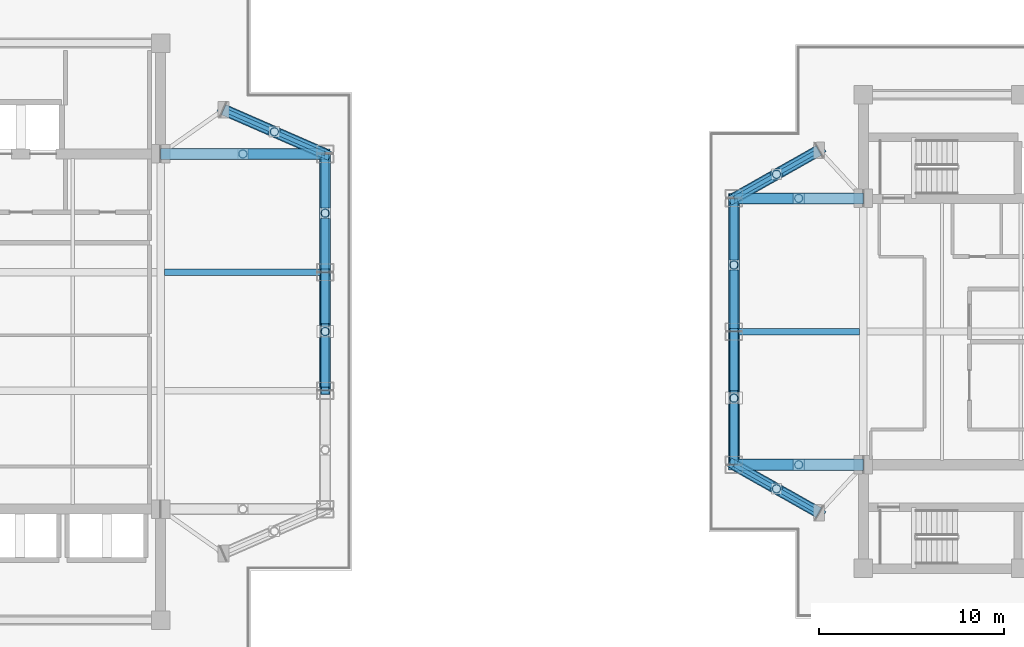
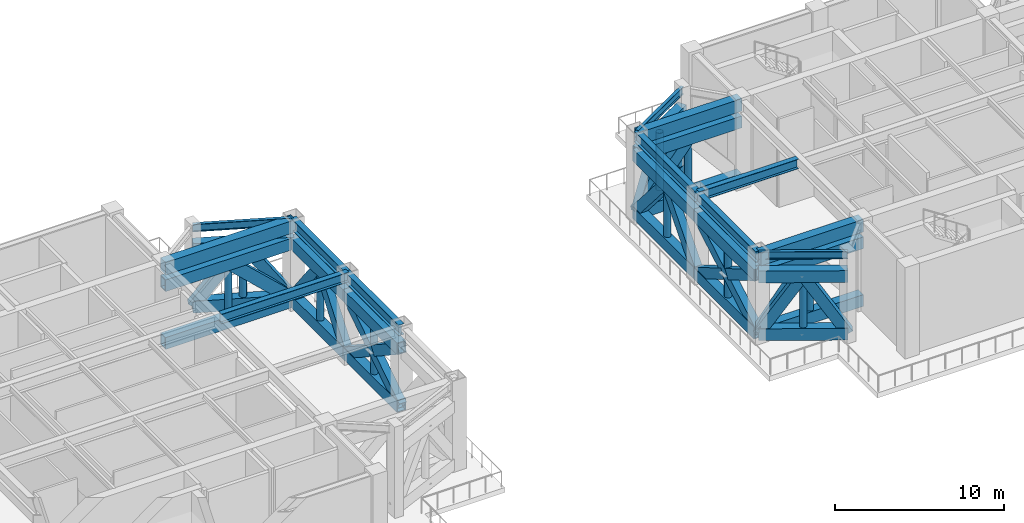
# One storey, part 3 of 18: 49 members, 12 beams.
"""IFC4 building model written with IfcOpenShell, lengths in metres."""

from ifc_helpers import new_model, si_unit, direction, frame, origin, origin_2d, place, context, subcontext, project, spatial, rectangle, hollow_rectangle, hollow_circle, i_section, extrude, material, material_profile, profile_set, type_object, element, save


model = new_model("IFC4")

# Units and contexts
model_context = context("Model", 3, precision=1e-05, world=origin(), true_north=direction((0.0, 1.0)))
body_context = subcontext(model_context, "Body", "Model", "MODEL_VIEW")
ifc_project = project(units=[si_unit("LENGTHUNIT", "METRE"), si_unit("AREAUNIT", "SQUARE_METRE"), si_unit("VOLUMEUNIT", "CUBIC_METRE"), si_unit("PLANEANGLEUNIT", "RADIAN"), si_unit("MASSUNIT", "GRAM", prefix="KILO")], contexts=[model_context])

# Site, building, storey
site_placement = place(None, origin())
site = spatial("IfcSite", under=ifc_project, at=site_placement, CompositionType="ELEMENT")
building_placement = place(site_placement, origin())
building = spatial("IfcBuilding", under=site, at=building_placement, Name="Mirazonda Arch Towers", CompositionType="ELEMENT")
storey_placement = place(building_placement, frame((0.0, 0.0, 147.800048828125)))
storey = spatial("IfcBuildingStorey", under=building, at=storey_placement, Name="L42", CompositionType="ELEMENT", Elevation=147.800048828125)

# Beams
ifc_material_1 = material(Name="Steel ASTM A992 Grade 50", Category="steel")
ifc_material_profile_1 = material_profile(ifc_material_1, i_section(OverallWidth=0.381103515625, OverallDepth=0.77294921875, WebThickness=0.0166015625, FlangeThickness=0.027099609375, at=origin_2d()), Name="W30X173")
ifc_profile_set_1 = profile_set([ifc_material_profile_1], Name="Steel ASTM A992 Grade 50")
beam_type_1 = type_object("IfcBeamType", Name="BM-EXT-W30X173", PredefinedType="USERDEFINED", material=ifc_profile_set_1)
beam_1_placement = place(storey_placement, frame((38.89990234375, 24.800048828125, 6.013427734375), z_axis=(0.0, 1.0, 0.0), x_axis=(-1.0, 0.0, 0.0)))
element("IfcBeam", 1, at=beam_1_placement, inside=storey, type_object=beam_type_1, Name="L42 Floor Beam BM-T1-L42-NS-E-24", ObjectType="GIRDER", PredefinedType="USERDEFINED", context=body_context, shape_type="SweptSolid", body=[
    extrude(i_section(OverallWidth=0.381103515625, OverallDepth=0.77294921875, WebThickness=0.0166015625, FlangeThickness=0.027099609375, at=origin_2d()), origin(), (0.0, 0.0, 1.0), 6.39990234375),
])
beam_2_placement = place(storey_placement, frame((38.89990234375, 31.199951171875, 6.013427734375), z_axis=(0.0, 1.0, 0.0), x_axis=(-1.0, 0.0, 0.0)))
element("IfcBeam", 2, at=beam_2_placement, inside=storey, type_object=beam_type_1, Name="L42 Floor Beam BM-T1-L42-NS-E-31", ObjectType="GIRDER", PredefinedType="USERDEFINED", context=body_context, shape_type="SweptSolid", body=[
    extrude(i_section(OverallWidth=0.381103515625, OverallDepth=0.77294921875, WebThickness=0.0166015625, FlangeThickness=0.027099609375, at=origin_2d()), origin(), (0.0, 0.0, 1.0), 6.400146484375),
])
for number, where, z_axis, x_axis, name in (
    (3, (61.0, 20.800048828125, 6.013427734375), (0.0, 1.0, 0.0), (-1.0, 0.0, 0.0), "L42 Floor Beam BM-T2-L42-NS-W-20"),
    (4, (61.0, 28.0, 6.013427734375), (0.0, 1.0, 0.0), (-1.0, 0.0, 0.0), "L42 Floor Beam BM-T2-L42-NS-W-28"),
):
    element("IfcBeam", number, at=place(storey_placement, frame(where, z_axis=z_axis, x_axis=x_axis)), inside=storey, type_object=beam_type_1, Name=name, ObjectType="GIRDER", PredefinedType="USERDEFINED", context=body_context, shape_type="SweptSolid", body=[
        extrude(i_section(OverallWidth=0.381103515625, OverallDepth=0.77294921875, WebThickness=0.0166015625, FlangeThickness=0.027099609375, at=origin_2d()), origin(), (0.0, 0.0, 1.0), 7.199951171875),
    ])
ifc_material_profile_2 = material_profile(ifc_material_1, i_section(OverallWidth=0.214111328125, OverallDepth=0.549072265625, WebThickness=0.0146484375, FlangeThickness=0.023681640625, at=origin_2d()), Name="W21X93")
ifc_profile_set_2 = profile_set([ifc_material_profile_2], Name="Steel ASTM A992 Grade 50")
beam_type_2 = type_object("IfcBeamType", Name="BM-INT-W21X93", PredefinedType="BEAM", material=ifc_profile_set_2)
beam_3_placement = place(storey_placement, frame((33.39990234375, 40.0, 6.12548828125), z_axis=(0.916545343703, -0.399930785183, 0.0), x_axis=(0.399930785183, 0.916545343703, 0.0)))
element("IfcBeam", 5, at=beam_3_placement, inside=storey, type_object=beam_type_2, Name="L42 Floor Beam BM-T1-L42-PL-NE2", PredefinedType="BEAM", context=body_context, shape_type="SweptSolid", body=[
    extrude(i_section(OverallWidth=0.214111328125, OverallDepth=0.549072265625, WebThickness=0.0146484375, FlangeThickness=0.023681640625, at=origin_2d()), origin(), (0.0, 0.0, 1.0), 6.000732421875),
])
for number, where, z_axis, x_axis, name in (
    (6, (65.60009765625, 18.199951171875, 6.12548828125), (-0.870559396632, 0.492063346467, 0.0), (-0.492063346467, -0.870559396632, 0.0), "L42 Floor Beam BM-T2-L42-PL-SW2"),
    (7, (65.60009765625, 37.800048828125, 6.12548828125), (-0.870559396632, -0.492063346467, 0.0), (0.492063346467, -0.870559396632, 0.0), "L42 Floor Beam BM-T2-L42-PL-NW2"),
):
    element("IfcBeam", number, at=place(storey_placement, frame(where, z_axis=z_axis, x_axis=x_axis)), inside=storey, type_object=beam_type_2, Name=name, PredefinedType="BEAM", context=body_context, shape_type="SweptSolid", body=[
        extrude(i_section(OverallWidth=0.214111328125, OverallDepth=0.549072265625, WebThickness=0.0146484375, FlangeThickness=0.023681640625, at=origin_2d()), origin(), (0.0, 0.0, 1.0), 5.2841796875),
    ])
ifc_material_profile_3 = material_profile(ifc_material_1, i_section(OverallWidth=0.35498046875, OverallDepth=0.696044921875, WebThickness=0.015380859375, FlangeThickness=0.02490234375, at=origin_2d()), Name="W27X146")
ifc_profile_set_3 = profile_set([ifc_material_profile_3], Name="Steel ASTM A992 Grade 50")
beam_type_3 = type_object("IfcBeamType", Name="BM-INT-W27X146", PredefinedType="BEAM", material=ifc_profile_set_3)
beam_4_placement = place(storey_placement, frame((30.199951171875, 31.199951171875, 6.052001953125), z_axis=(1.0, 0.0, 0.0), x_axis=(0.0, 1.0, 0.0)))
element("IfcBeam", 8, at=beam_4_placement, inside=storey, type_object=beam_type_3, Name="L42 Floor Beam BM-T1-L42-GE3", PredefinedType="BEAM", context=body_context, shape_type="SweptSolid", body=[
    extrude(i_section(OverallWidth=0.35498046875, OverallDepth=0.696044921875, WebThickness=0.015380859375, FlangeThickness=0.02490234375, at=origin_2d()), origin(), (0.0, 0.0, 1.0), 8.699951171875),
])
beam_5_placement = place(storey_placement, frame((61.0, 28.0, 6.052001953125), z_axis=(1.0, 0.0, 0.0), x_axis=(0.0, 1.0, 0.0)))
element("IfcBeam", 9, at=beam_5_placement, inside=storey, type_object=beam_type_3, Name="L42 Floor Beam BM-T2-L42-GW2", PredefinedType="BEAM", context=body_context, shape_type="SweptSolid", body=[
    extrude(i_section(OverallWidth=0.35498046875, OverallDepth=0.696044921875, WebThickness=0.015380859375, FlangeThickness=0.02490234375, at=origin_2d()), origin(), (0.0, 0.0, 1.0), 6.800048828125),
])
ifc_material_2 = material(Name="Concrete C50/60", Category="concrete")
ifc_material_profile_4 = material_profile(ifc_material_2, rectangle(XDim=0.60009765625, YDim=0.89990234375, at=origin_2d()), Name="RCCB600x900")
ifc_profile_set_4 = profile_set([ifc_material_profile_4], Name="Concrete C50/60")
beam_type_4 = type_object("IfcBeamType", Name="CB-INT-RCCB600x900", PredefinedType="SPANDREL", material=ifc_profile_set_4)
beam_6_placement = place(storey_placement, frame((30.0, 37.60009765625, 5.949951171875), z_axis=(1.0, 0.0, 0.0), x_axis=(0.0, 1.0, 0.0)))
element("IfcBeam", 10, at=beam_6_placement, inside=storey, type_object=beam_type_4, Name="L42 Floor Beam CB-T1-L42-NE", PredefinedType="SPANDREL", context=body_context, shape_type="SweptSolid", body=[
    extrude(rectangle(XDim=0.60009765625, YDim=0.89990234375, at=origin_2d()), origin(), (0.0, 0.0, 1.0), 8.89990234375),
])
for number, where, z_axis, x_axis, name in (
    (11, (61.0, 35.199951171875, 5.949951171875), (1.0, 0.0, 0.0), (0.0, 1.0, 0.0), "L42 Floor Beam CB-T2-L42-NW"),
    (12, (61.0, 20.800048828125, 5.949951171875), (1.0, 0.0, 0.0), (0.0, 1.0, 0.0), "L42 Floor Beam CB-T2-L42-SW"),
):
    element("IfcBeam", number, at=place(storey_placement, frame(where, z_axis=z_axis, x_axis=x_axis)), inside=storey, type_object=beam_type_4, Name=name, PredefinedType="SPANDREL", context=body_context, shape_type="SweptSolid", body=[
        extrude(rectangle(XDim=0.60009765625, YDim=0.89990234375, at=origin_2d()), origin(), (0.0, 0.0, 1.0), 7.0),
    ])

# Members
ifc_material_3 = material(Name="Steel ASTM A572 Grade 50", Category="steel")
ifc_material_profile_5 = material_profile(ifc_material_3, hollow_rectangle(XDim=0.60009765625, YDim=0.85009765625, WallThickness=0.048095703125, at=origin_2d()), Name="BELTCHORD850x600x48")
ifc_profile_set_5 = profile_set([ifc_material_profile_5], Name="Steel ASTM A572 Grade 50")
member_type_1 = type_object("IfcMemberType", Name="MBR-EXT-BELTCHORD850x600x48", PredefinedType="CHORD", material=ifc_profile_set_5)
for number, where, z_axis, x_axis, name in (
    (13, (38.89990234375, 24.800048828125, 0.550048828125), (0.0, 1.0, 0.0), (-1.0, 0.0, 0.0), "L42 T1 Wind-Portal Belt Chord BC05"),
    (14, (38.89990234375, 24.800048828125, 4.719970703125), (0.0, 1.0, 0.0), (-1.0, 0.0, 0.0), "L42 T1 Wind-Portal Belt Chord TC05"),
):
    element("IfcMember", number, at=place(storey_placement, frame(where, z_axis=z_axis, x_axis=x_axis)), inside=storey, type_object=member_type_1, Name=name, PredefinedType="CHORD", context=body_context, shape_type="SweptSolid", body=[
        extrude(hollow_rectangle(XDim=0.60009765625, YDim=0.85009765625, WallThickness=0.048095703125, at=origin_2d()), origin(), (0.0, 0.0, 1.0), 6.39990234375),
    ])
for number, where, z_axis, x_axis, name in (
    (15, (38.89990234375, 31.199951171875, 0.550048828125), (0.0, 1.0, 0.0), (-1.0, 0.0, 0.0), "L42 T1 Wind-Portal Belt Chord BC06"),
    (16, (38.89990234375, 31.199951171875, 4.719970703125), (0.0, 1.0, 0.0), (-1.0, 0.0, 0.0), "L42 T1 Wind-Portal Belt Chord TC06"),
):
    element("IfcMember", number, at=place(storey_placement, frame(where, z_axis=z_axis, x_axis=x_axis)), inside=storey, type_object=member_type_1, Name=name, PredefinedType="CHORD", context=body_context, shape_type="SweptSolid", body=[
        extrude(hollow_rectangle(XDim=0.60009765625, YDim=0.85009765625, WallThickness=0.048095703125, at=origin_2d()), origin(), (0.0, 0.0, 1.0), 6.400146484375),
    ])
for number, where, z_axis, x_axis, name in (
    (17, (33.39990234375, 40.0, 0.550048828125), (0.916545343703, -0.399930785183, 0.0), (0.399930785183, 0.916545343703, 0.0), "L42 T1 Wind-Portal Belt Chord BC10"),
    (18, (33.39990234375, 40.0, 4.719970703125), (0.916545343703, -0.399930785183, 0.0), (0.399930785183, 0.916545343703, 0.0), "L42 T1 Wind-Portal Belt Chord TC10"),
):
    element("IfcMember", number, at=place(storey_placement, frame(where, z_axis=z_axis, x_axis=x_axis)), inside=storey, type_object=member_type_1, Name=name, PredefinedType="CHORD", context=body_context, shape_type="SweptSolid", body=[
        extrude(hollow_rectangle(XDim=0.60009765625, YDim=0.85009765625, WallThickness=0.048095703125, at=origin_2d()), origin(), (0.0, 0.0, 1.0), 6.000732421875),
    ])
for number, where, z_axis, x_axis, name in (
    (19, (61.0, 20.800048828125, 0.550048828125), (0.0, 1.0, 0.0), (-1.0, 0.0, 0.0), "L42 T2 Wind-Portal Belt Chord BC01"),
    (20, (61.0, 20.800048828125, 4.719970703125), (0.0, 1.0, 0.0), (-1.0, 0.0, 0.0), "L42 T2 Wind-Portal Belt Chord TC01"),
    (21, (61.0, 28.0, 0.550048828125), (0.0, 1.0, 0.0), (-1.0, 0.0, 0.0), "L42 T2 Wind-Portal Belt Chord BC02"),
    (22, (61.0, 28.0, 4.719970703125), (0.0, 1.0, 0.0), (-1.0, 0.0, 0.0), "L42 T2 Wind-Portal Belt Chord TC02"),
):
    element("IfcMember", number, at=place(storey_placement, frame(where, z_axis=z_axis, x_axis=x_axis)), inside=storey, type_object=member_type_1, Name=name, PredefinedType="CHORD", context=body_context, shape_type="SweptSolid", body=[
        extrude(hollow_rectangle(XDim=0.60009765625, YDim=0.85009765625, WallThickness=0.048095703125, at=origin_2d()), origin(), (0.0, 0.0, 1.0), 7.199951171875),
    ])
for number, where, z_axis, x_axis, name in (
    (23, (61.0, 20.800048828125, 0.550048828125), (0.870559396632, -0.492063346467, 0.0), (0.492063346467, 0.870559396632, 0.0), "L42 T2 Wind-Portal Belt Chord BC05"),
    (24, (61.0, 20.800048828125, 4.719970703125), (0.870559396632, -0.492063346467, 0.0), (0.492063346467, 0.870559396632, 0.0), "L42 T2 Wind-Portal Belt Chord TC05"),
    (25, (61.0, 35.199951171875, 0.550048828125), (0.870559396632, 0.492063346467, 0.0), (-0.492063346467, 0.870559396632, 0.0), "L42 T2 Wind-Portal Belt Chord BC07"),
    (26, (61.0, 35.199951171875, 4.719970703125), (0.870559396632, 0.492063346467, 0.0), (-0.492063346467, 0.870559396632, 0.0), "L42 T2 Wind-Portal Belt Chord TC07"),
):
    element("IfcMember", number, at=place(storey_placement, frame(where, z_axis=z_axis, x_axis=x_axis)), inside=storey, type_object=member_type_1, Name=name, PredefinedType="CHORD", context=body_context, shape_type="SweptSolid", body=[
        extrude(hollow_rectangle(XDim=0.60009765625, YDim=0.85009765625, WallThickness=0.048095703125, at=origin_2d()), origin(), (0.0, 0.0, 1.0), 5.2841796875),
    ])
ifc_material_profile_6 = material_profile(ifc_material_3, hollow_rectangle(XDim=0.5, YDim=0.699951171875, WallThickness=0.0400390625, at=origin_2d()), Name="BELTDIAG700x500x40")
ifc_profile_set_6 = profile_set([ifc_material_profile_6], Name="Steel ASTM A572 Grade 50")
member_type_2 = type_object("IfcMemberType", Name="MBR-EXT-BELTDIAG700x500x40", PredefinedType="BRACE", material=ifc_profile_set_6)
member_1_placement = place(storey_placement, frame((38.89990234375, 24.800048828125, 0.550048828125), z_axis=(0.0, 0.837845781509, 0.545906994284), x_axis=(-1.0, 0.0, 0.0)))
element("IfcMember", 27, at=member_1_placement, inside=storey, type_object=member_type_2, Name="L42 T1 Continuous X-Brace Diagonal 05", PredefinedType="BRACE", context=body_context, shape_type="SweptSolid", body=[
    extrude(hollow_rectangle(XDim=0.5, YDim=0.699951171875, WallThickness=0.0400390625, at=origin_2d()), origin(), (0.0, 0.0, 1.0), 7.638427734375),
])
member_2_placement = place(storey_placement, frame((38.89990234375, 31.199951171875, 0.550048828125), z_axis=(0.0, -0.83787261911, 0.545865802323), x_axis=(1.0, 0.0, 0.0)))
element("IfcMember", 28, at=member_2_placement, inside=storey, type_object=member_type_2, Name="L42 T1 Split X-Brace Lower Segment 05", PredefinedType="BRACE", context=body_context, shape_type="SweptSolid", body=[
    extrude(hollow_rectangle(XDim=0.5, YDim=0.699951171875, WallThickness=0.0400390625, at=origin_2d()), origin(), (0.0, 0.0, 1.0), 3.5390625),
])
member_3_placement = place(storey_placement, frame((38.89990234375, 27.765380859375, 2.787841796875), z_axis=(0.0, -0.837841068227, 0.545914228054), x_axis=(1.0, 0.0, 0.0)))
element("IfcMember", 29, at=member_3_placement, inside=storey, type_object=member_type_2, Name="L42 T1 Split X-Brace Upper Segment 05", PredefinedType="BRACE", context=body_context, shape_type="SweptSolid", body=[
    extrude(hollow_rectangle(XDim=0.5, YDim=0.699951171875, WallThickness=0.0400390625, at=origin_2d()), origin(), (0.0, 0.0, 1.0), 3.539306640625),
])
for number, where, z_axis, x_axis, name in (
    (30, (38.89990234375, 31.199951171875, 0.550048828125), (0.0, 0.608792272518, 0.793329672282), (-1.0, 0.0, 0.0), "L42 T1 Wind-Portal Belt Diagonal 06A"),
    (31, (38.89990234375, 37.60009765625, 0.550048828125), (0.0, -0.608821504267, 0.79330723931), (1.0, 0.0, 0.0), "L42 T1 Wind-Portal Belt Diagonal 06B"),
):
    element("IfcMember", number, at=place(storey_placement, frame(where, z_axis=z_axis, x_axis=x_axis)), inside=storey, type_object=member_type_2, Name=name, PredefinedType="BRACE", context=body_context, shape_type="SweptSolid", body=[
        extrude(hollow_rectangle(XDim=0.5, YDim=0.699951171875, WallThickness=0.0400390625, at=origin_2d()), origin(), (0.0, 0.0, 1.0), 5.25634765625),
    ])
for number, where, z_axis, x_axis, name in (
    (32, (33.39990234375, 40.0, 0.550048828125), (0.535313017564, -0.233581630089, 0.81171398615), (0.399930785183, 0.916545343703, 0.0), "L42 T1 Wind-Portal Belt Diagonal 10A"),
    (33, (38.89990234375, 37.60009765625, 0.550048828125), (-0.535313017564, 0.233581630089, 0.81171398615), (-0.399930785183, -0.916545343703, 0.0), "L42 T1 Wind-Portal Belt Diagonal 10B"),
):
    element("IfcMember", number, at=place(storey_placement, frame(where, z_axis=z_axis, x_axis=x_axis)), inside=storey, type_object=member_type_2, Name=name, PredefinedType="BRACE", context=body_context, shape_type="SweptSolid", body=[
        extrude(hollow_rectangle(XDim=0.5, YDim=0.699951171875, WallThickness=0.0400390625, at=origin_2d()), origin(), (0.0, 0.0, 1.0), 5.13720703125),
    ])
member_4_placement = place(storey_placement, frame((61.0, 20.800048828125, 0.550048828125), z_axis=(0.0, 0.865346586486, 0.501173907198), x_axis=(-1.0, 0.0, 0.0)))
element("IfcMember", 34, at=member_4_placement, inside=storey, type_object=member_type_2, Name="L42 T2 Continuous X-Brace Diagonal 01", PredefinedType="BRACE", context=body_context, shape_type="SweptSolid", body=[
    extrude(hollow_rectangle(XDim=0.5, YDim=0.699951171875, WallThickness=0.0400390625, at=origin_2d()), origin(), (0.0, 0.0, 1.0), 8.3203125),
])
for number, where, z_axis, x_axis, name in (
    (35, (61.0, 28.0, 0.550048828125), (0.0, -0.865351606214, 0.501165239838), (1.0, 0.0, 0.0), "L42 T2 Split X-Brace Lower Segment 01"),
    (36, (61.0, 24.15771484375, 2.775146484375), (0.0, -0.865324317981, 0.501212354907), (1.0, 0.0, 0.0), "L42 T2 Split X-Brace Upper Segment 01"),
):
    element("IfcMember", number, at=place(storey_placement, frame(where, z_axis=z_axis, x_axis=x_axis)), inside=storey, type_object=member_type_2, Name=name, PredefinedType="BRACE", context=body_context, shape_type="SweptSolid", body=[
        extrude(hollow_rectangle(XDim=0.5, YDim=0.699951171875, WallThickness=0.0400390625, at=origin_2d()), origin(), (0.0, 0.0, 1.0), 3.880126953125),
    ])
member_5_placement = place(storey_placement, frame((61.0, 28.0, 0.550048828125), z_axis=(0.0, 0.653495250041, 0.756930616486), x_axis=(-1.0, 0.0, 0.0)))
element("IfcMember", 37, at=member_5_placement, inside=storey, type_object=member_type_2, Name="L42 T2 Wind-Portal Belt Diagonal 02A", PredefinedType="BRACE", context=body_context, shape_type="SweptSolid", body=[
    extrude(hollow_rectangle(XDim=0.5, YDim=0.699951171875, WallThickness=0.0400390625, at=origin_2d()), origin(), (0.0, 0.0, 1.0), 5.509033203125),
])
member_6_placement = place(storey_placement, frame((61.0, 35.199951171875, 0.550048828125), z_axis=(0.0, -0.653469857906, 0.756952538015), x_axis=(1.0, 0.0, 0.0)))
element("IfcMember", 38, at=member_6_placement, inside=storey, type_object=member_type_2, Name="L42 T2 Wind-Portal Belt Diagonal 02B", PredefinedType="BRACE", context=body_context, shape_type="SweptSolid", body=[
    extrude(hollow_rectangle(XDim=0.5, YDim=0.699951171875, WallThickness=0.0400390625, at=origin_2d()), origin(), (0.0, 0.0, 1.0), 5.5087890625),
])
for number, where, z_axis, x_axis, name in (
    (39, (61.0, 20.800048828125, 0.550048828125), (0.465931171203, -0.263356701694, 0.844719711724), (0.492063346467, 0.870559396632, 0.0), "L42 T2 Wind-Portal Belt Diagonal 05A"),
    (40, (65.60009765625, 18.199951171875, 0.550048828125), (-0.465931171203, 0.263356701694, 0.844719711724), (-0.492063346467, -0.870559396632, 0.0), "L42 T2 Wind-Portal Belt Diagonal 05B"),
    (41, (61.0, 35.199951171875, 0.550048828125), (0.465931171203, 0.263356701694, 0.844719711724), (-0.492063346467, 0.870559396632, 0.0), "L42 T2 Wind-Portal Belt Diagonal 07A"),
    (42, (65.60009765625, 37.800048828125, 0.550048828125), (-0.465931171203, -0.263356701694, 0.844719711724), (0.492063346467, -0.870559396632, 0.0), "L42 T2 Wind-Portal Belt Diagonal 07B"),
):
    element("IfcMember", number, at=place(storey_placement, frame(where, z_axis=z_axis, x_axis=x_axis)), inside=storey, type_object=member_type_2, Name=name, PredefinedType="BRACE", context=body_context, shape_type="SweptSolid", body=[
        extrude(hollow_rectangle(XDim=0.5, YDim=0.699951171875, WallThickness=0.0400390625, at=origin_2d()), origin(), (0.0, 0.0, 1.0), 4.9365234375),
    ])
ifc_material_profile_7 = material_profile(ifc_material_3, hollow_circle(Radius=0.228515625, WallThickness=0.02197265625, at=origin_2d()), Name="BELTSTRUT457x22CHS")
ifc_profile_set_7 = profile_set([ifc_material_profile_7], Name="Steel ASTM A572 Grade 50")
member_type_3 = type_object("IfcMemberType", Name="MBR-EXT-BELTSTRUT457x22CHS", PredefinedType="STRUT", material=ifc_profile_set_7)
for number, where, z_axis, x_axis, name in (
    (43, (38.89990234375, 28.0, 0.550048828125), (0.0, 0.0, 1.0), (1.0, 0.0, 0.0), "L42 T1 Wind-Portal Belt Strut 05"),
    (44, (38.89990234375, 34.39990234375, 0.550048828125), (0.0, 0.0, 1.0), (1.0, 0.0, 0.0), "L42 T1 Wind-Portal Belt Strut 06"),
    (45, (36.14990234375, 38.800048828125, 0.550048828125), (0.0, 0.0, 1.0), (1.0, 0.0, 0.0), "L42 T1 Wind-Portal Belt Strut 10"),
    (46, (61.0, 24.39990234375, 0.550048828125), (0.0, 0.0, 1.0), (1.0, 0.0, 0.0), "L42 T2 Wind-Portal Belt Strut 01"),
    (47, (61.0, 31.60009765625, 0.550048828125), (0.0, 0.0, 1.0), (1.0, 0.0, 0.0), "L42 T2 Wind-Portal Belt Strut 02"),
    (48, (63.300048828125, 19.5, 0.550048828125), (0.0, 0.0, 1.0), (1.0, 0.0, 0.0), "L42 T2 Wind-Portal Belt Strut 05"),
    (49, (63.300048828125, 36.5, 0.550048828125), (0.0, 0.0, 1.0), (1.0, 0.0, 0.0), "L42 T2 Wind-Portal Belt Strut 07"),
):
    element("IfcMember", number, at=place(storey_placement, frame(where, z_axis=z_axis, x_axis=x_axis)), inside=storey, type_object=member_type_3, Name=name, PredefinedType="STRUT", context=body_context, shape_type="SweptSolid", body=[
        extrude(hollow_circle(Radius=0.228515625, WallThickness=0.02197265625, at=origin_2d()), origin(), (0.0, 0.0, 1.0), 4.169921875),
    ])
ifc_material_profile_8 = material_profile(ifc_material_3, hollow_rectangle(XDim=0.60009765625, YDim=0.85009765625, WallThickness=0.048095703125, at=origin_2d()), Name="BELTCHORD850x600x48")
ifc_profile_set_8 = profile_set([ifc_material_profile_8], Name="Steel ASTM A572 Grade 50")
member_type_4 = type_object("IfcMemberType", Name="MBR-INT-BELTCHORD850x600x48", PredefinedType="CHORD", material=ifc_profile_set_8)
for number, where, z_axis, x_axis, name in (
    (50, (30.0, 37.60009765625, 0.550048828125), (1.0, 0.0, 0.0), (0.0, 1.0, 0.0), "L42 T1 Core Outrigger Chord BC04"),
    (51, (30.0, 37.60009765625, 4.719970703125), (1.0, 0.0, 0.0), (0.0, 1.0, 0.0), "L42 T1 Core Outrigger Chord TC04"),
):
    element("IfcMember", number, at=place(storey_placement, frame(where, z_axis=z_axis, x_axis=x_axis)), inside=storey, type_object=member_type_4, Name=name, PredefinedType="CHORD", context=body_context, shape_type="SweptSolid", body=[
        extrude(hollow_rectangle(XDim=0.60009765625, YDim=0.85009765625, WallThickness=0.048095703125, at=origin_2d()), origin(), (0.0, 0.0, 1.0), 8.89990234375),
    ])
for number, where, z_axis, x_axis, name in (
    (52, (61.0, 20.800048828125, 0.550048828125), (1.0, 0.0, 0.0), (0.0, 1.0, 0.0), "L42 T2 Core Outrigger Chord BC01"),
    (53, (61.0, 20.800048828125, 4.719970703125), (1.0, 0.0, 0.0), (0.0, 1.0, 0.0), "L42 T2 Core Outrigger Chord TC01"),
    (54, (61.0, 35.199951171875, 0.550048828125), (1.0, 0.0, 0.0), (0.0, 1.0, 0.0), "L42 T2 Core Outrigger Chord BC03"),
    (55, (61.0, 35.199951171875, 4.719970703125), (1.0, 0.0, 0.0), (0.0, 1.0, 0.0), "L42 T2 Core Outrigger Chord TC03"),
):
    element("IfcMember", number, at=place(storey_placement, frame(where, z_axis=z_axis, x_axis=x_axis)), inside=storey, type_object=member_type_4, Name=name, PredefinedType="CHORD", context=body_context, shape_type="SweptSolid", body=[
        extrude(hollow_rectangle(XDim=0.60009765625, YDim=0.85009765625, WallThickness=0.048095703125, at=origin_2d()), origin(), (0.0, 0.0, 1.0), 7.0),
    ])
ifc_material_profile_9 = material_profile(ifc_material_3, hollow_circle(Radius=0.228515625, WallThickness=0.02197265625, at=origin_2d()), Name="BELTSTRUT457x22CHS")
ifc_profile_set_9 = profile_set([ifc_material_profile_9], Name="Steel ASTM A572 Grade 50")
member_type_5 = type_object("IfcMemberType", Name="MBR-INT-BELTSTRUT457x22CHS", PredefinedType="STRUT", material=ifc_profile_set_9)
for number, where, z_axis, x_axis, name in (
    (56, (34.449951171875, 37.60009765625, 0.550048828125), (0.0, 0.0, 1.0), (1.0, 0.0, 0.0), "L42 T1 Core Outrigger Strut 04"),
    (57, (64.5, 20.800048828125, 0.550048828125), (0.0, 0.0, 1.0), (1.0, 0.0, 0.0), "L42 T2 Core Outrigger Strut 01"),
    (58, (64.5, 35.199951171875, 0.550048828125), (0.0, 0.0, 1.0), (1.0, 0.0, 0.0), "L42 T2 Core Outrigger Strut 03"),
):
    element("IfcMember", number, at=place(storey_placement, frame(where, z_axis=z_axis, x_axis=x_axis)), inside=storey, type_object=member_type_5, Name=name, PredefinedType="STRUT", context=body_context, shape_type="SweptSolid", body=[
        extrude(hollow_circle(Radius=0.228515625, WallThickness=0.02197265625, at=origin_2d()), origin(), (0.0, 0.0, 1.0), 4.169921875),
    ])
ifc_material_profile_10 = material_profile(ifc_material_3, hollow_rectangle(XDim=0.550048828125, YDim=0.800048828125, WallThickness=0.044921875, at=origin_2d()), Name="OUTRIGGER800x550x45")
ifc_profile_set_10 = profile_set([ifc_material_profile_10], Name="Steel ASTM A572 Grade 50")
member_type_6 = type_object("IfcMemberType", Name="MBR-INT-OUTRIGGER800x550x45", PredefinedType="BRACE", material=ifc_profile_set_10)
member_7_placement = place(storey_placement, frame((38.89990234375, 37.60009765625, 0.550048828125), z_axis=(-0.729693241457, 0.0, 0.683774651016), x_axis=(0.0, -1.0, 0.0)))
element("IfcMember", 59, at=member_7_placement, inside=storey, type_object=member_type_6, Name="L42 T1 Core Outrigger Diagonal 04B", PredefinedType="BRACE", context=body_context, shape_type="SweptSolid", body=[
    extrude(hollow_rectangle(XDim=0.550048828125, YDim=0.800048828125, WallThickness=0.044921875, at=origin_2d()), origin(), (0.0, 0.0, 1.0), 6.098388671875),
])
for number, where, z_axis, x_axis, name in (
    (60, (61.0, 20.800048828125, 0.550048828125), (0.64289755966, 0.0, 0.765952170689), (0.0, 1.0, 0.0), "L42 T2 Core Outrigger Diagonal 01A"),
    (61, (61.0, 35.199951171875, 0.550048828125), (0.64289755966, 0.0, 0.765952170689), (0.0, 1.0, 0.0), "L42 T2 Core Outrigger Diagonal 03A"),
):
    element("IfcMember", number, at=place(storey_placement, frame(where, z_axis=z_axis, x_axis=x_axis)), inside=storey, type_object=member_type_6, Name=name, PredefinedType="BRACE", context=body_context, shape_type="SweptSolid", body=[
        extrude(hollow_rectangle(XDim=0.550048828125, YDim=0.800048828125, WallThickness=0.044921875, at=origin_2d()), origin(), (0.0, 0.0, 1.0), 5.444091796875),
    ])

save(model, "model.ifc")
